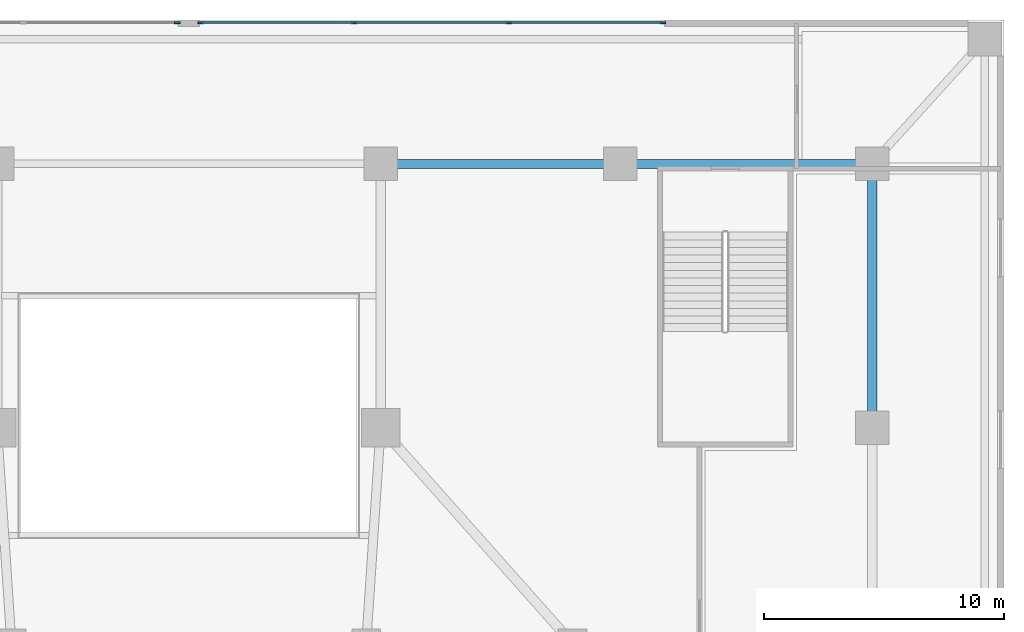
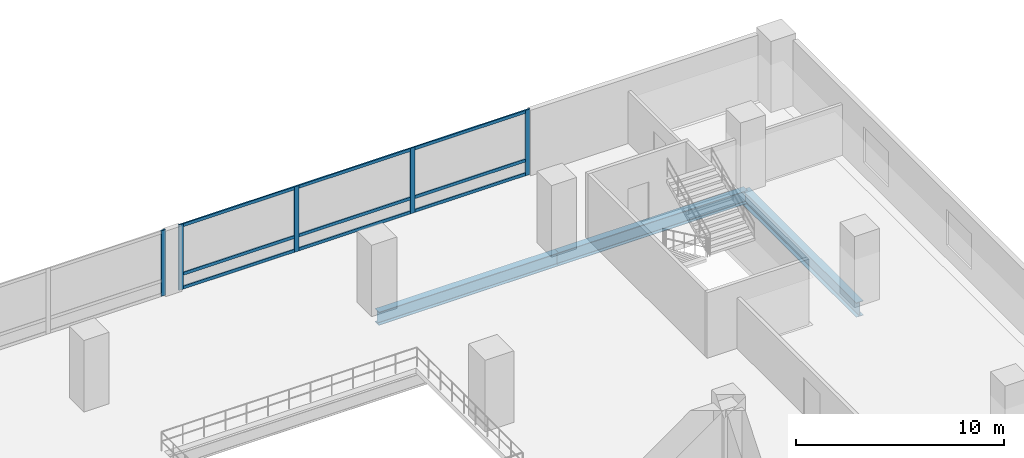
# One storey, part 4 of 15: 14 members, 3 beams, 2 elements without a shape of their own.
"""IFC4 building model written with IfcOpenShell, lengths in metres."""

from ifc_helpers import new_model, si_unit, direction, frame, origin, origin_2d, place, context, subcontext, project, spatial, rectangle, i_section, extrude, material, material_profile, profile_set, type_object, element, aggregate, save


model = new_model("IFC4")

# Units and contexts
model_context = context("Model", 3, precision=1e-05, world=origin(), true_north=direction((0.0, 1.0)))
body_context = subcontext(model_context, "Body", "Model", "MODEL_VIEW")
ifc_project = project(units=[si_unit("LENGTHUNIT", "METRE"), si_unit("AREAUNIT", "SQUARE_METRE"), si_unit("VOLUMEUNIT", "CUBIC_METRE"), si_unit("PLANEANGLEUNIT", "RADIAN"), si_unit("MASSUNIT", "GRAM", prefix="KILO")], contexts=[model_context])

# Site, building, storey
site_placement = place(None, origin())
site = spatial("IfcSite", under=ifc_project, at=site_placement, CompositionType="ELEMENT")
building_placement = place(site_placement, origin())
building = spatial("IfcBuilding", under=site, at=building_placement, Name="Solmavex Isthmus Hotel", CompositionType="ELEMENT")
storey_placement = place(building_placement, frame((0.0, 0.0, 16.199951171875)))
storey = spatial("IfcBuildingStorey", under=building, at=storey_placement, Name="L04", CompositionType="ELEMENT", Elevation=16.199951171875)

# Beams
ifc_material_1 = material(Name="Steel ASTM A992 Grade 50", Category="steel")
ifc_material_profile_1 = material_profile(ifc_material_1, i_section(OverallWidth=0.380615234375, OverallDepth=0.773193359375, WebThickness=0.0166015625, FlangeThickness=0.027099609375, FilletRadius=0.01904296875, at=origin_2d()), Name="W30X173")
ifc_profile_set_1 = profile_set([ifc_material_profile_1], Name="Steel ASTM A992 Grade 50")
beam_type_1 = type_object("IfcBeamType", Name="BM-BG-W30X173", PredefinedType="BEAM", material=ifc_profile_set_1)
beam_1_placement = place(storey_placement, frame((8.0, 17.5, -0.6865234375), z_axis=(1.0, 0.0, 0.0), x_axis=(0.0, 1.0, 0.0)))
element("IfcBeam", 1, at=beam_1_placement, inside=storey, type_object=beam_type_1, Name="Podium Primary Girder L04-G10", PredefinedType="BEAM", context=body_context, shape_type="SweptSolid", body=[
    extrude(i_section(OverallWidth=0.380615234375, OverallDepth=0.773193359375, WebThickness=0.0166015625, FlangeThickness=0.027099609375, FilletRadius=0.01904296875, at=origin_2d()), origin(), (0.0, 0.0, 1.0), 10.0),
])
beam_2_placement = place(storey_placement, frame((18.0, 17.5, -0.6865234375), z_axis=(1.0, 0.0, 0.0), x_axis=(0.0, 1.0, 0.0)))
element("IfcBeam", 2, at=beam_2_placement, inside=storey, type_object=beam_type_1, Name="Podium Primary Girder L04-G11", PredefinedType="BEAM", context=body_context, shape_type="SweptSolid", body=[
    extrude(i_section(OverallWidth=0.380615234375, OverallDepth=0.773193359375, WebThickness=0.0166015625, FlangeThickness=0.027099609375, FilletRadius=0.01904296875, at=origin_2d()), origin(), (0.0, 0.0, 1.0), 10.5),
])
ifc_material_profile_2 = material_profile(ifc_material_1, i_section(OverallWidth=0.39990234375, OverallDepth=0.85546875, WebThickness=0.018310546875, FlangeThickness=0.029296875, FilletRadius=0.020263671875, at=origin_2d()), Name="W33X201")
ifc_profile_set_2 = profile_set([ifc_material_profile_2], Name="Steel ASTM A992 Grade 50")
beam_type_2 = type_object("IfcBeamType", Name="BM-BG-W33X201", PredefinedType="BEAM", material=ifc_profile_set_2)
beam_3_placement = place(storey_placement, frame((28.5, 6.5, -0.727783203125), z_axis=(0.0, 1.0, 0.0), x_axis=(-1.0, 0.0, 0.0)))
element("IfcBeam", 3, at=beam_3_placement, inside=storey, type_object=beam_type_2, Name="Podium Primary Girder L04-G17", PredefinedType="BEAM", context=body_context, shape_type="SweptSolid", body=[
    extrude(i_section(OverallWidth=0.39990234375, OverallDepth=0.85546875, WebThickness=0.018310546875, FlangeThickness=0.029296875, FilletRadius=0.020263671875, at=origin_2d()), origin(), (0.0, 0.0, 1.0), 11.0),
])

# Curtain wall, member
ifc_material_2 = material(Name="Aluminium alloy 6063-T6", Category="aluminium")
curtain_wall_type = type_object("IfcCurtainWallType", Name="CW-SYS-01", PredefinedType="NOTDEFINED", material=ifc_material_2)
curtain_wall_1_placement = place(storey_placement, origin())
curtain_wall_1 = element("IfcCurtainWall", 4, at=curtain_wall_1_placement, inside=storey, type_object=curtain_wall_type, Name="Stick Curtain Wall CWL-L04-NW", PredefinedType="NOTDEFINED")
ifc_material_profile_3 = material_profile(ifc_material_2, rectangle(XDim=0.080078125, YDim=0.25, at=origin_2d()), Name="CWM-80X250")
ifc_profile_set_3 = profile_set([ifc_material_profile_3], Name="Aluminium alloy 6063-T6")
member_type_1 = type_object("IfcMemberType", Name="CW-SYS-01-MUL", PredefinedType="MULLION", material=ifc_profile_set_3)
member_1_placement = place(storey_placement, frame((-0.489990234375, 23.3798828125, 0.0), z_axis=(0.0, 0.0, 1.0), x_axis=(0.0, 1.0, 0.0)))
member_1 = element("IfcMember", 5, at=member_1_placement, type_object=member_type_1, Name="CW-01 mullion 4", PredefinedType="MULLION", context=body_context, shape_type="SweptSolid", body=[
    extrude(rectangle(XDim=0.080078125, YDim=0.25, at=origin_2d()), origin(), (0.0, 0.0, 1.0), 3.85009765625),
])
aggregate(curtain_wall_1, [member_1])

# Curtain wall, members
curtain_wall_2_placement = place(storey_placement, origin())
curtain_wall_2 = element("IfcCurtainWall", 6, at=curtain_wall_2_placement, inside=storey, type_object=curtain_wall_type, Name="Stick Curtain Wall CWL-L04-NE", PredefinedType="NOTDEFINED")
member_2_placement = place(storey_placement, frame((0.489990234375, 23.3798828125, 0.0), z_axis=(0.0, 0.0, 1.0), x_axis=(0.0, 1.0, 0.0)))
member_2 = element("IfcMember", 7, at=member_2_placement, type_object=member_type_1, Name="CW-01 mullion 1", PredefinedType="MULLION", context=body_context, shape_type="SweptSolid", body=[
    extrude(rectangle(XDim=0.080078125, YDim=0.25, at=origin_2d()), origin(), (0.0, 0.0, 1.0), 3.85009765625),
])
member_3_placement = place(storey_placement, frame((6.89990234375, 23.3798828125, 0.0), z_axis=(0.0, 0.0, 1.0), x_axis=(0.0, 1.0, 0.0)))
member_3 = element("IfcMember", 8, at=member_3_placement, type_object=member_type_1, Name="CW-01 mullion 2", PredefinedType="MULLION", context=body_context, shape_type="SweptSolid", body=[
    extrude(rectangle(XDim=0.080078125, YDim=0.25, at=origin_2d()), origin(), (0.0, 0.0, 1.0), 3.85009765625),
])
member_4_placement = place(storey_placement, frame((13.35009765625, 23.3798828125, 0.0), z_axis=(0.0, 0.0, 1.0), x_axis=(0.0, 1.0, 0.0)))
member_4 = element("IfcMember", 9, at=member_4_placement, type_object=member_type_1, Name="CW-01 mullion 3", PredefinedType="MULLION", context=body_context, shape_type="SweptSolid", body=[
    extrude(rectangle(XDim=0.080078125, YDim=0.25, at=origin_2d()), origin(), (0.0, 0.0, 1.0), 3.85009765625),
])
member_5_placement = place(storey_placement, frame((19.760009765625, 23.3798828125, 0.0), z_axis=(0.0, 0.0, 1.0), x_axis=(0.0, 1.0, 0.0)))
member_5 = element("IfcMember", 10, at=member_5_placement, type_object=member_type_1, Name="CW-01 mullion 4", PredefinedType="MULLION", context=body_context, shape_type="SweptSolid", body=[
    extrude(rectangle(XDim=0.080078125, YDim=0.25, at=origin_2d()), origin(), (0.0, 0.0, 1.0), 3.85009765625),
])
ifc_material_profile_4 = material_profile(ifc_material_2, rectangle(XDim=0.080078125, YDim=0.179931640625, at=origin_2d()), Name="CWT-80X180")
ifc_profile_set_4 = profile_set([ifc_material_profile_4], Name="Aluminium alloy 6063-T6")
member_type_2 = type_object("IfcMemberType", Name="CW-SYS-01-TRN", PredefinedType="USERDEFINED", material=ifc_profile_set_4)
member_6_placement = place(storey_placement, frame((0.530029296875, 23.3798828125, 0.090087890625), z_axis=(1.0, 0.0, 0.0), x_axis=(0.0, 1.0, 0.0)))
member_6 = element("IfcMember", 11, at=member_6_placement, type_object=member_type_2, Name="CW-01 transom 1.1", ObjectType="TRANSOM", PredefinedType="USERDEFINED", context=body_context, shape_type="SweptSolid", body=[
    extrude(rectangle(XDim=0.080078125, YDim=0.179931640625, at=origin_2d()), origin(), (0.0, 0.0, 1.0), 6.330078125),
])
member_7_placement = place(storey_placement, frame((0.530029296875, 23.3798828125, 0.900146484375), z_axis=(1.0, 0.0, 0.0), x_axis=(0.0, 1.0, 0.0)))
member_7 = element("IfcMember", 12, at=member_7_placement, type_object=member_type_2, Name="CW-01 transom 1.2", ObjectType="TRANSOM", PredefinedType="USERDEFINED", context=body_context, shape_type="SweptSolid", body=[
    extrude(rectangle(XDim=0.080078125, YDim=0.179931640625, at=origin_2d()), origin(), (0.0, 0.0, 1.0), 6.330078125),
])
member_8_placement = place(storey_placement, frame((0.530029296875, 23.3798828125, 3.760009765625), z_axis=(1.0, 0.0, 0.0), x_axis=(0.0, 1.0, 0.0)))
member_8 = element("IfcMember", 13, at=member_8_placement, type_object=member_type_2, Name="CW-01 transom 1.3", ObjectType="TRANSOM", PredefinedType="USERDEFINED", context=body_context, shape_type="SweptSolid", body=[
    extrude(rectangle(XDim=0.080078125, YDim=0.179931640625, at=origin_2d()), origin(), (0.0, 0.0, 1.0), 6.330078125),
])
member_9_placement = place(storey_placement, frame((6.93994140625, 23.3798828125, 0.090087890625), z_axis=(1.0, 0.0, 0.0), x_axis=(0.0, 1.0, 0.0)))
member_9 = element("IfcMember", 14, at=member_9_placement, type_object=member_type_2, Name="CW-01 transom 2.1", ObjectType="TRANSOM", PredefinedType="USERDEFINED", context=body_context, shape_type="SweptSolid", body=[
    extrude(rectangle(XDim=0.080078125, YDim=0.179931640625, at=origin_2d()), origin(), (0.0, 0.0, 1.0), 6.3701171875),
])
member_10_placement = place(storey_placement, frame((6.93994140625, 23.3798828125, 0.900146484375), z_axis=(1.0, 0.0, 0.0), x_axis=(0.0, 1.0, 0.0)))
member_10 = element("IfcMember", 15, at=member_10_placement, type_object=member_type_2, Name="CW-01 transom 2.2", ObjectType="TRANSOM", PredefinedType="USERDEFINED", context=body_context, shape_type="SweptSolid", body=[
    extrude(rectangle(XDim=0.080078125, YDim=0.179931640625, at=origin_2d()), origin(), (0.0, 0.0, 1.0), 6.3701171875),
])
member_11_placement = place(storey_placement, frame((6.93994140625, 23.3798828125, 3.760009765625), z_axis=(1.0, 0.0, 0.0), x_axis=(0.0, 1.0, 0.0)))
member_11 = element("IfcMember", 16, at=member_11_placement, type_object=member_type_2, Name="CW-01 transom 2.3", ObjectType="TRANSOM", PredefinedType="USERDEFINED", context=body_context, shape_type="SweptSolid", body=[
    extrude(rectangle(XDim=0.080078125, YDim=0.179931640625, at=origin_2d()), origin(), (0.0, 0.0, 1.0), 6.3701171875),
])
member_12_placement = place(storey_placement, frame((13.389892578125, 23.3798828125, 0.090087890625), z_axis=(1.0, 0.0, 0.0), x_axis=(0.0, 1.0, 0.0)))
member_12 = element("IfcMember", 17, at=member_12_placement, type_object=member_type_2, Name="CW-01 transom 3.1", ObjectType="TRANSOM", PredefinedType="USERDEFINED", context=body_context, shape_type="SweptSolid", body=[
    extrude(rectangle(XDim=0.080078125, YDim=0.179931640625, at=origin_2d()), origin(), (0.0, 0.0, 1.0), 6.330078125),
])
member_13_placement = place(storey_placement, frame((13.389892578125, 23.3798828125, 0.900146484375), z_axis=(1.0, 0.0, 0.0), x_axis=(0.0, 1.0, 0.0)))
member_13 = element("IfcMember", 18, at=member_13_placement, type_object=member_type_2, Name="CW-01 transom 3.2", ObjectType="TRANSOM", PredefinedType="USERDEFINED", context=body_context, shape_type="SweptSolid", body=[
    extrude(rectangle(XDim=0.080078125, YDim=0.179931640625, at=origin_2d()), origin(), (0.0, 0.0, 1.0), 6.330078125),
])
member_14_placement = place(storey_placement, frame((13.389892578125, 23.3798828125, 3.760009765625), z_axis=(1.0, 0.0, 0.0), x_axis=(0.0, 1.0, 0.0)))
member_14 = element("IfcMember", 19, at=member_14_placement, type_object=member_type_2, Name="CW-01 transom 3.3", ObjectType="TRANSOM", PredefinedType="USERDEFINED", context=body_context, shape_type="SweptSolid", body=[
    extrude(rectangle(XDim=0.080078125, YDim=0.179931640625, at=origin_2d()), origin(), (0.0, 0.0, 1.0), 6.330078125),
])
aggregate(curtain_wall_2, [member_2, member_3, member_4, member_5, member_6, member_7, member_8, member_9, member_10, member_11, member_12, member_13, member_14])

save(model, "model.ifc")
